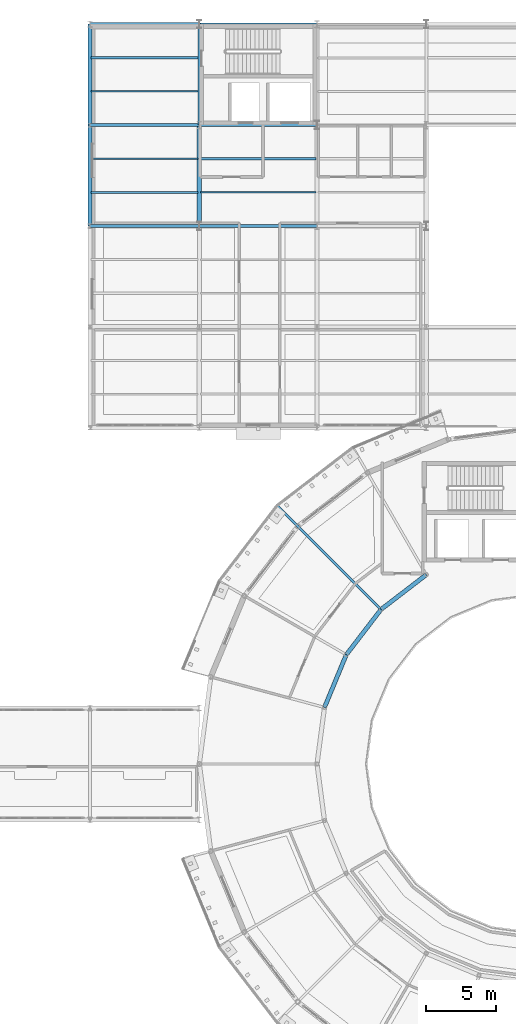
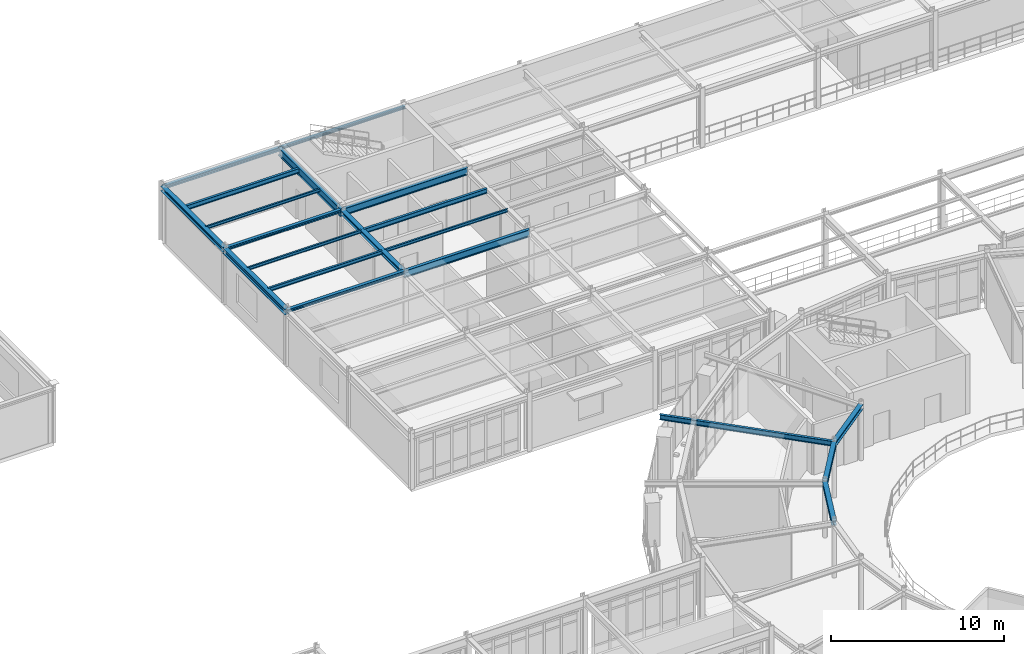
# One storey, part 47 of 90: 20 beams.
"""IFC4 building model written with IfcOpenShell, lengths in metres."""

from ifc_helpers import new_model, si_unit, derived_unit, direction, frame, origin, origin_2d, place, context, subcontext, project, spatial, i_section, extrude, material, material_profile, profile_set, type_object, element, save


model = new_model("IFC4")

# Units and contexts
model_context = context("Model", 3, precision=1e-05, world=origin(), true_north=direction((0.0, 1.0)))
body_context = subcontext(model_context, "Body", "Model", "MODEL_VIEW")
ifc_project = project(units=[si_unit("LENGTHUNIT", "METRE"), si_unit("AREAUNIT", "SQUARE_METRE"), si_unit("VOLUMEUNIT", "CUBIC_METRE"), si_unit("PLANEANGLEUNIT", "RADIAN"), si_unit("MASSUNIT", "GRAM", prefix="KILO"), derived_unit("THERMALTRANSMITTANCEUNIT", [(si_unit("POWERUNIT", "WATT"), 1), (si_unit("AREAUNIT", "SQUARE_METRE"), -1), (si_unit("THERMODYNAMICTEMPERATUREUNIT", "KELVIN"), -1)])], contexts=[model_context])

# Site, building, storey
site_placement = place(None, origin())
site = spatial("IfcSite", under=ifc_project, at=site_placement, CompositionType="ELEMENT")
building_placement = place(site_placement, origin())
building = spatial("IfcBuilding", under=site, at=building_placement, Name="Yasenodar Specialist Clinic", CompositionType="ELEMENT")
storey_placement = place(building_placement, frame((0.0, 0.0, 9.0)))
storey = spatial("IfcBuildingStorey", under=building, at=storey_placement, Name="L02", CompositionType="ELEMENT", Elevation=9.0)

# Beams
ifc_material = material(Name="Steel S355", Category="steel")
ifc_material_profile_1 = material_profile(ifc_material, i_section(OverallWidth=0.219970703125, OverallDepth=0.2099609375, WebThickness=0.007080078125, FlangeThickness=0.010986328125, FilletRadius=0.01806640625, at=origin_2d()), Name="HEA 220")
ifc_profile_set_1 = profile_set([ifc_material_profile_1], Name="Steel S355")
beam_type_1 = type_object("IfcBeamType", Name="BM-HEA220", PredefinedType="BEAM", material=ifc_profile_set_1)
for number, where, z_axis, x_axis, name in (
    (1, (49.199951171875, 97.199951171875, 3.844970703125), (1.0, 0.0, 0.0), (0.0, 1.0, 0.0), "L02 Primary E-W Girder"),
    (2, (49.199951171875, 104.39990234375, 3.844970703125), (1.0, 0.0, 0.0), (0.0, 1.0, 0.0), "L02 Primary E-W Girder"),
):
    element("IfcBeam", number, at=place(storey_placement, frame(where, z_axis=z_axis, x_axis=x_axis)), inside=storey, type_object=beam_type_1, Name=name, PredefinedType="BEAM", context=body_context, shape_type="SweptSolid", body=[
        extrude(i_section(OverallWidth=0.219970703125, OverallDepth=0.2099609375, WebThickness=0.007080078125, FlangeThickness=0.010986328125, FilletRadius=0.01806640625, at=origin_2d()), origin(), (0.0, 0.0, 1.0), 7.800048828125),
    ])
ifc_material_profile_2 = material_profile(ifc_material, i_section(OverallWidth=0.300048828125, OverallDepth=0.2900390625, WebThickness=0.008544921875, FlangeThickness=0.013916015625, FilletRadius=0.027099609375, at=origin_2d()), Name="HEA 300")
ifc_profile_set_2 = profile_set([ifc_material_profile_2], Name="Steel S355")
beam_type_2 = type_object("IfcBeamType", Name="BM-HEA300", PredefinedType="BEAM", material=ifc_profile_set_2)
beam_1_placement = place(storey_placement, frame((57.0, 97.199951171875, 3.804931640625), z_axis=(0.0, 1.0, 0.0), x_axis=(-1.0, 0.0, 0.0)))
element("IfcBeam", 3, at=beam_1_placement, inside=storey, type_object=beam_type_2, Name="L02 Primary N-S Girder", PredefinedType="BEAM", context=body_context, shape_type="SweptSolid", body=[
    extrude(i_section(OverallWidth=0.300048828125, OverallDepth=0.2900390625, WebThickness=0.008544921875, FlangeThickness=0.013916015625, FilletRadius=0.027099609375, at=origin_2d()), origin(), (0.0, 0.0, 1.0), 7.199951171875),
])
ifc_material_profile_3 = material_profile(ifc_material, i_section(OverallWidth=0.300048828125, OverallDepth=0.330078125, WebThickness=0.009521484375, FlangeThickness=0.0166015625, FilletRadius=0.027099609375, at=origin_2d()), Name="HEA 340")
ifc_profile_set_3 = profile_set([ifc_material_profile_3], Name="Steel S355")
beam_type_3 = type_object("IfcBeamType", Name="BM-HEA340", PredefinedType="BEAM", material=ifc_profile_set_3)
beam_2_placement = place(storey_placement, frame((73.199951171875, 72.31005859375, 3.784912109375), z_axis=(-0.793347704909, -0.608768773111, 0.0), x_axis=(0.608768773111, -0.793347704909, 0.0)))
element("IfcBeam", 4, at=beam_2_placement, inside=storey, type_object=beam_type_3, Name="L02 Drum V1 Inner Ring Beam", PredefinedType="BEAM", context=body_context, shape_type="SweptSolid", body=[
    extrude(i_section(OverallWidth=0.300048828125, OverallDepth=0.330078125, WebThickness=0.009521484375, FlangeThickness=0.0166015625, FilletRadius=0.027099609375, at=origin_2d()), origin(), (0.0, 0.0, 1.0), 4.072509765625),
])
beam_3_placement = place(storey_placement, frame((69.968994140625, 69.830810546875, 3.784912109375), z_axis=(-0.60875999388, -0.793354441502, 0.0), x_axis=(0.793354441502, -0.60875999388, 0.0)))
element("IfcBeam", 5, at=beam_3_placement, inside=storey, type_object=beam_type_3, Name="L02 Drum V1 Inner Ring Beam", PredefinedType="BEAM", context=body_context, shape_type="SweptSolid", body=[
    extrude(i_section(OverallWidth=0.300048828125, OverallDepth=0.330078125, WebThickness=0.009521484375, FlangeThickness=0.0166015625, FilletRadius=0.027099609375, at=origin_2d()), origin(), (0.0, 0.0, 1.0), 4.072265625),
])
beam_4_placement = place(storey_placement, frame((67.489990234375, 66.60009765625, 3.784912109375), z_axis=(-0.382660650645, -0.92388896868, 0.0), x_axis=(0.92388896868, -0.382660650645, 0.0)))
element("IfcBeam", 6, at=beam_4_placement, inside=storey, type_object=beam_type_3, Name="L02 Drum V1 Inner Ring Beam", PredefinedType="BEAM", context=body_context, shape_type="SweptSolid", body=[
    extrude(i_section(OverallWidth=0.300048828125, OverallDepth=0.330078125, WebThickness=0.009521484375, FlangeThickness=0.0166015625, FilletRadius=0.027099609375, at=origin_2d()), origin(), (0.0, 0.0, 1.0), 4.072509765625),
])
ifc_material_profile_4 = material_profile(ifc_material, i_section(OverallWidth=0.300048828125, OverallDepth=0.340087890625, WebThickness=0.011962890625, FlangeThickness=0.021484375, FilletRadius=0.027099609375, at=origin_2d()), Name="HEB 340")
ifc_profile_set_4 = profile_set([ifc_material_profile_4], Name="Steel S355")
beam_type_4 = type_object("IfcBeamType", Name="BM-HEB340", PredefinedType="BEAM", material=ifc_profile_set_4)
beam_5_placement = place(storey_placement, frame((49.199951171875, 104.39990234375, 3.780029296875), z_axis=(0.0, 1.0, 0.0), x_axis=(-1.0, 0.0, 0.0)))
element("IfcBeam", 7, at=beam_5_placement, inside=storey, type_object=beam_type_4, Name="L02 Primary N-S Girder", PredefinedType="BEAM", context=body_context, shape_type="SweptSolid", body=[
    extrude(i_section(OverallWidth=0.300048828125, OverallDepth=0.340087890625, WebThickness=0.011962890625, FlangeThickness=0.021484375, FilletRadius=0.027099609375, at=origin_2d()), origin(), (0.0, 0.0, 1.0), 7.2001953125),
])
ifc_material_profile_5 = material_profile(ifc_material, i_section(OverallWidth=0.300048828125, OverallDepth=0.39990234375, WebThickness=0.013427734375, FlangeThickness=0.02392578125, FilletRadius=0.027099609375, at=origin_2d()), Name="HEB 400")
ifc_profile_set_5 = profile_set([ifc_material_profile_5], Name="Steel S355")
beam_type_5 = type_object("IfcBeamType", Name="BM-HEB400", PredefinedType="BEAM", material=ifc_profile_set_5)
beam_6_placement = place(storey_placement, frame((49.199951171875, 97.199951171875, 3.75), z_axis=(0.0, 1.0, 0.0), x_axis=(-1.0, 0.0, 0.0)))
element("IfcBeam", 8, at=beam_6_placement, inside=storey, type_object=beam_type_5, Name="L02 Primary N-S Girder", PredefinedType="BEAM", context=body_context, shape_type="SweptSolid", body=[
    extrude(i_section(OverallWidth=0.300048828125, OverallDepth=0.39990234375, WebThickness=0.013427734375, FlangeThickness=0.02392578125, FilletRadius=0.027099609375, at=origin_2d()), origin(), (0.0, 0.0, 1.0), 7.199951171875),
])
ifc_material_profile_6 = material_profile(ifc_material, i_section(OverallWidth=0.169921875, OverallDepth=0.360107421875, WebThickness=0.008056640625, FlangeThickness=0.0126953125, FilletRadius=0.01806640625, at=origin_2d()), Name="IPE 360")
ifc_profile_set_6 = profile_set([ifc_material_profile_6], Name="Steel S355")
beam_type_6 = type_object("IfcBeamType", Name="BM-IPE360", PredefinedType="BEAM", material=ifc_profile_set_6)
beam_7_placement = place(storey_placement, frame((69.968994140625, 69.830810546875, 3.77001953125), z_axis=(-0.707095099746, 0.707118462434, 0.0), x_axis=(-0.707118462434, -0.707095099746, 0.0)))
element("IfcBeam", 9, at=beam_7_placement, inside=storey, type_object=beam_type_6, Name="L02 Drum V1 Radial Back-Spanned Cantilever Beam", PredefinedType="BEAM", context=body_context, shape_type="SweptSolid", body=[
    extrude(i_section(OverallWidth=0.169921875, OverallDepth=0.360107421875, WebThickness=0.008056640625, FlangeThickness=0.0126953125, FilletRadius=0.01806640625, at=origin_2d()), origin(), (0.0, 0.0, 1.0), 10.449951171875),
])
ifc_material_profile_7 = material_profile(ifc_material, i_section(OverallWidth=0.199951171875, OverallDepth=0.5, WebThickness=0.01025390625, FlangeThickness=0.01611328125, FilletRadius=0.02099609375, at=origin_2d()), Name="IPE 500")
ifc_profile_set_7 = profile_set([ifc_material_profile_7], Name="Steel S355")
beam_type_7 = type_object("IfcBeamType", Name="BM-IPE500", PredefinedType="BEAM", material=ifc_profile_set_7)
for number, where, z_axis, x_axis, name in (
    (10, (57.0, 97.199951171875, 3.699951171875), (1.0, 0.0, 0.0), (0.0, 1.0, 0.0), "L02 Primary E-W Girder"),
    (11, (57.0, 104.39990234375, 3.699951171875), (1.0, 0.0, 0.0), (0.0, 1.0, 0.0), "L02 Primary E-W Girder"),
):
    element("IfcBeam", number, at=place(storey_placement, frame(where, z_axis=z_axis, x_axis=x_axis)), inside=storey, type_object=beam_type_7, Name=name, PredefinedType="BEAM", context=body_context, shape_type="SweptSolid", body=[
        extrude(i_section(OverallWidth=0.199951171875, OverallDepth=0.5, WebThickness=0.01025390625, FlangeThickness=0.01611328125, FilletRadius=0.02099609375, at=origin_2d()), origin(), (0.0, 0.0, 1.0), 8.39990234375),
    ])
ifc_material_profile_8 = material_profile(ifc_material, i_section(OverallWidth=0.2099609375, OverallDepth=0.550048828125, WebThickness=0.010986328125, FlangeThickness=0.01708984375, FilletRadius=0.02392578125, at=origin_2d()), Name="IPE 550")
ifc_profile_set_8 = profile_set([ifc_material_profile_8], Name="Steel S355")
beam_type_8 = type_object("IfcBeamType", Name="BM-IPE550", PredefinedType="BEAM", material=ifc_profile_set_8)
beam_8_placement = place(storey_placement, frame((57.0, 104.39990234375, 3.675048828125), z_axis=(0.0, 1.0, 0.0), x_axis=(-1.0, 0.0, 0.0)))
element("IfcBeam", 12, at=beam_8_placement, inside=storey, type_object=beam_type_8, Name="L02 Primary N-S Girder", PredefinedType="BEAM", context=body_context, shape_type="SweptSolid", body=[
    extrude(i_section(OverallWidth=0.2099609375, OverallDepth=0.550048828125, WebThickness=0.010986328125, FlangeThickness=0.01708984375, FilletRadius=0.02392578125, at=origin_2d()), origin(), (0.0, 0.0, 1.0), 7.2001953125),
])
ifc_material_profile_9 = material_profile(ifc_material, i_section(OverallWidth=0.110107421875, OverallDepth=0.219970703125, WebThickness=0.005859375, FlangeThickness=0.00927734375, FilletRadius=0.011962890625, at=origin_2d()), Name="IPE 220")
ifc_profile_set_9 = profile_set([ifc_material_profile_9], Name="Steel S355")
beam_type_9 = type_object("IfcBeamType", Name="JS-IPE220", PredefinedType="JOIST", material=ifc_profile_set_9)
for number, where, z_axis, x_axis, name in (
    (13, (49.280029296875, 102.0, 3.840087890625), (1.0, 0.0, 0.0), (0.0, 1.0, 0.0), "L02 Composite Floor Joist"),
    (14, (49.280029296875, 106.800048828125, 3.840087890625), (1.0, 0.0, 0.0), (0.0, 1.0, 0.0), "L02 Composite Floor Joist"),
):
    element("IfcBeam", number, at=place(storey_placement, frame(where, z_axis=z_axis, x_axis=x_axis)), inside=storey, type_object=beam_type_9, Name=name, PredefinedType="JOIST", context=body_context, shape_type="SweptSolid", body=[
        extrude(i_section(OverallWidth=0.110107421875, OverallDepth=0.219970703125, WebThickness=0.005859375, FlangeThickness=0.00927734375, FilletRadius=0.011962890625, at=origin_2d()), origin(), (0.0, 0.0, 1.0), 7.639892578125),
    ])
beam_9_placement = place(storey_placement, frame((57.080078125, 99.60009765625, 3.840087890625), z_axis=(1.0, 0.0, 0.0), x_axis=(0.0, 1.0, 0.0)))
element("IfcBeam", 15, at=beam_9_placement, inside=storey, type_object=beam_type_9, Name="L02 Composite Floor Joist", PredefinedType="JOIST", context=body_context, shape_type="SweptSolid", body=[
    extrude(i_section(OverallWidth=0.110107421875, OverallDepth=0.219970703125, WebThickness=0.005859375, FlangeThickness=0.00927734375, FilletRadius=0.011962890625, at=origin_2d()), origin(), (0.0, 0.0, 1.0), 8.239990234375),
])
ifc_material_profile_10 = material_profile(ifc_material, i_section(OverallWidth=0.135009765625, OverallDepth=0.27001953125, WebThickness=0.006591796875, FlangeThickness=0.01025390625, FilletRadius=0.014892578125, at=origin_2d()), Name="IPE 270")
ifc_profile_set_10 = profile_set([ifc_material_profile_10], Name="Steel S355")
beam_type_10 = type_object("IfcBeamType", Name="JS-IPE270", PredefinedType="JOIST", material=ifc_profile_set_10)
beam_10_placement = place(storey_placement, frame((49.280029296875, 99.60009765625, 3.81494140625), z_axis=(1.0, 0.0, 0.0), x_axis=(0.0, 1.0, 0.0)))
element("IfcBeam", 16, at=beam_10_placement, inside=storey, type_object=beam_type_10, Name="L02 Composite Floor Joist", PredefinedType="JOIST", context=body_context, shape_type="SweptSolid", body=[
    extrude(i_section(OverallWidth=0.135009765625, OverallDepth=0.27001953125, WebThickness=0.006591796875, FlangeThickness=0.01025390625, FilletRadius=0.014892578125, at=origin_2d()), origin(), (0.0, 0.0, 1.0), 7.639892578125),
])
ifc_material_profile_11 = material_profile(ifc_material, i_section(OverallWidth=0.159912109375, OverallDepth=0.330078125, WebThickness=0.007568359375, FlangeThickness=0.011474609375, FilletRadius=0.01806640625, at=origin_2d()), Name="IPE 330")
ifc_profile_set_11 = profile_set([ifc_material_profile_11], Name="Steel S355")
beam_type_11 = type_object("IfcBeamType", Name="JS-IPE330", PredefinedType="JOIST", material=ifc_profile_set_11)
beam_11_placement = place(storey_placement, frame((49.280029296875, 109.199951171875, 3.784912109375), z_axis=(1.0, 0.0, 0.0), x_axis=(0.0, 1.0, 0.0)))
element("IfcBeam", 17, at=beam_11_placement, inside=storey, type_object=beam_type_11, Name="L02 Composite Floor Joist", PredefinedType="JOIST", context=body_context, shape_type="SweptSolid", body=[
    extrude(i_section(OverallWidth=0.159912109375, OverallDepth=0.330078125, WebThickness=0.007568359375, FlangeThickness=0.011474609375, FilletRadius=0.01806640625, at=origin_2d()), origin(), (0.0, 0.0, 1.0), 7.639892578125),
])
beam_12_placement = place(storey_placement, frame((57.080078125, 102.0, 3.784912109375), z_axis=(1.0, 0.0, 0.0), x_axis=(0.0, 1.0, 0.0)))
element("IfcBeam", 18, at=beam_12_placement, inside=storey, type_object=beam_type_11, Name="L02 Composite Floor Joist", PredefinedType="JOIST", context=body_context, shape_type="SweptSolid", body=[
    extrude(i_section(OverallWidth=0.159912109375, OverallDepth=0.330078125, WebThickness=0.007568359375, FlangeThickness=0.011474609375, FilletRadius=0.01806640625, at=origin_2d()), origin(), (0.0, 0.0, 1.0), 8.239990234375),
])
ifc_material_profile_12 = material_profile(ifc_material, i_section(OverallWidth=0.199951171875, OverallDepth=0.18994140625, WebThickness=0.006591796875, FlangeThickness=0.010009765625, FilletRadius=0.01806640625, at=origin_2d()), Name="HEA 200")
ifc_profile_set_12 = profile_set([ifc_material_profile_12], Name="Steel S355")
beam_type_12 = type_object("IfcBeamType", Name="SP-HEA200", PredefinedType="SPANDREL", material=ifc_profile_set_12)
beam_13_placement = place(storey_placement, frame((57.0, 111.60009765625, 3.85498046875), z_axis=(1.0, 0.0, 0.0), x_axis=(0.0, 1.0, 0.0)))
element("IfcBeam", 19, at=beam_13_placement, inside=storey, type_object=beam_type_12, Name="L02 Perimeter Spandrel Beam", PredefinedType="SPANDREL", context=body_context, shape_type="SweptSolid", body=[
    extrude(i_section(OverallWidth=0.199951171875, OverallDepth=0.18994140625, WebThickness=0.006591796875, FlangeThickness=0.010009765625, FilletRadius=0.01806640625, at=origin_2d()), origin(), (0.0, 0.0, 1.0), 8.39990234375),
])
ifc_material_profile_13 = material_profile(ifc_material, i_section(OverallWidth=0.239990234375, OverallDepth=0.22998046875, WebThickness=0.007568359375, FlangeThickness=0.011962890625, FilletRadius=0.02099609375, at=origin_2d()), Name="HEA 240")
ifc_profile_set_13 = profile_set([ifc_material_profile_13], Name="Steel S355")
beam_type_13 = type_object("IfcBeamType", Name="SP-HEA240", PredefinedType="SPANDREL", material=ifc_profile_set_13)
beam_14_placement = place(storey_placement, frame((49.199951171875, 111.60009765625, 3.8349609375), z_axis=(1.0, 0.0, 0.0), x_axis=(0.0, 1.0, 0.0)))
element("IfcBeam", 20, at=beam_14_placement, inside=storey, type_object=beam_type_13, Name="L02 Perimeter Spandrel Beam", PredefinedType="SPANDREL", context=body_context, shape_type="SweptSolid", body=[
    extrude(i_section(OverallWidth=0.239990234375, OverallDepth=0.22998046875, WebThickness=0.007568359375, FlangeThickness=0.011962890625, FilletRadius=0.02099609375, at=origin_2d()), origin(), (0.0, 0.0, 1.0), 7.800048828125),
])

save(model, "model.ifc")
